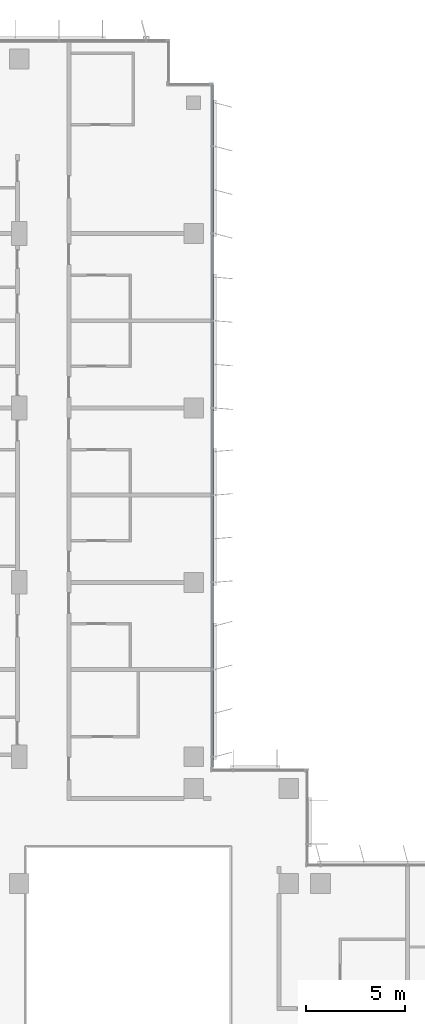
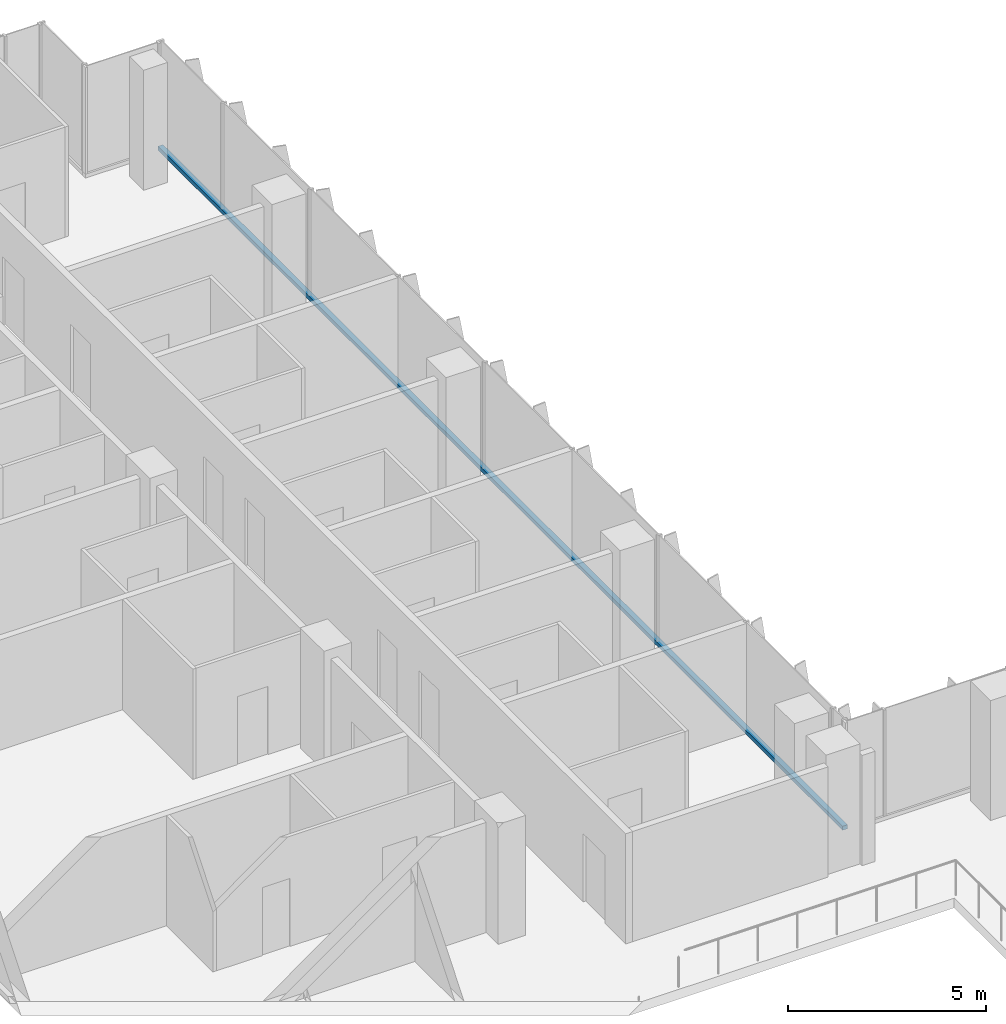
# One storey, part 6 of 21: 1 member, 1 element without a shape of its own.
"""IFC4 building model written with IfcOpenShell, lengths in metres."""

from ifc_helpers import new_model, si_unit, direction, frame, origin, origin_2d, place, context, subcontext, project, spatial, rectangle, extrude, material, material_profile, profile_set, type_object, element, aggregate, save


model = new_model("IFC4")

# Units and contexts
model_context = context("Model", 3, precision=1e-05, world=origin(), true_north=direction((0.0, 1.0)))
body_context = subcontext(model_context, "Body", "Model", "MODEL_VIEW")
ifc_project = project(units=[si_unit("LENGTHUNIT", "METRE"), si_unit("AREAUNIT", "SQUARE_METRE"), si_unit("VOLUMEUNIT", "CUBIC_METRE"), si_unit("PLANEANGLEUNIT", "RADIAN"), si_unit("MASSUNIT", "GRAM", prefix="KILO")], contexts=[model_context])

# Site, building, storey
site_placement = place(None, origin())
site = spatial("IfcSite", under=ifc_project, at=site_placement, CompositionType="ELEMENT")
building_placement = place(site_placement, origin())
building = spatial("IfcBuilding", under=site, at=building_placement, Name="Kemantara Hotel Tower", CompositionType="ELEMENT")
storey_placement = place(building_placement, frame((0.0, 0.0, 182.699951171875)))
storey = spatial("IfcBuildingStorey", under=building, at=storey_placement, Name="L45", CompositionType="ELEMENT", Elevation=182.699951171875)

# Curtain wall, member
ifc_material_1 = material(Name="Low-E tinted double insulated glass 36 mm", Category="glass")
curtain_wall_type = type_object("IfcCurtainWallType", Name="TOWER CURTAIN WALL, FRONT FACES", PredefinedType="USERDEFINED", material=ifc_material_1)
curtain_wall_placement = place(storey_placement, origin())
curtain_wall = element("IfcCurtainWall", 1, at=curtain_wall_placement, inside=storey, type_object=curtain_wall_type, Name="CW4 L45 T3-R17-1", ObjectType="TOWER CURTAIN WALL, FRONT FACES", PredefinedType="USERDEFINED")
ifc_material_2 = material(Name="Aluminium 6063-T6 bronze anodised", Category="aluminium")
ifc_material_profile = material_profile(ifc_material_2, rectangle(XDim=0.14990234375, YDim=0.1201171875, at=origin_2d()), Name="TOWER CURTAIN WALL, FRONT FACES TRANSOM")
ifc_profile_set = profile_set([ifc_material_profile], Name="Aluminium 6063-T6 bronze anodised")
member_type = type_object("IfcMemberType", Name="TOWER CURTAIN WALL, FRONT FACES TRANSOM", PredefinedType="USERDEFINED", material=ifc_profile_set)
member_placement = place(storey_placement, frame((21.925048828125, 26.800048828125, 0.06005859375), z_axis=(0.0, 1.0, 0.0), x_axis=(-1.0, 0.0, 0.0)))
member = element("IfcMember", 2, at=member_placement, type_object=member_type, Name="CW4 sill transom T3-R17-1", ObjectType="TRANSOM", PredefinedType="USERDEFINED", context=body_context, shape_type="SweptSolid", body=[
    extrude(rectangle(XDim=0.14990234375, YDim=0.1201171875, at=origin_2d()), origin(), (0.0, 0.0, 1.0), 34.599853515625),
])
aggregate(curtain_wall, [member])

save(model, "model.ifc")
